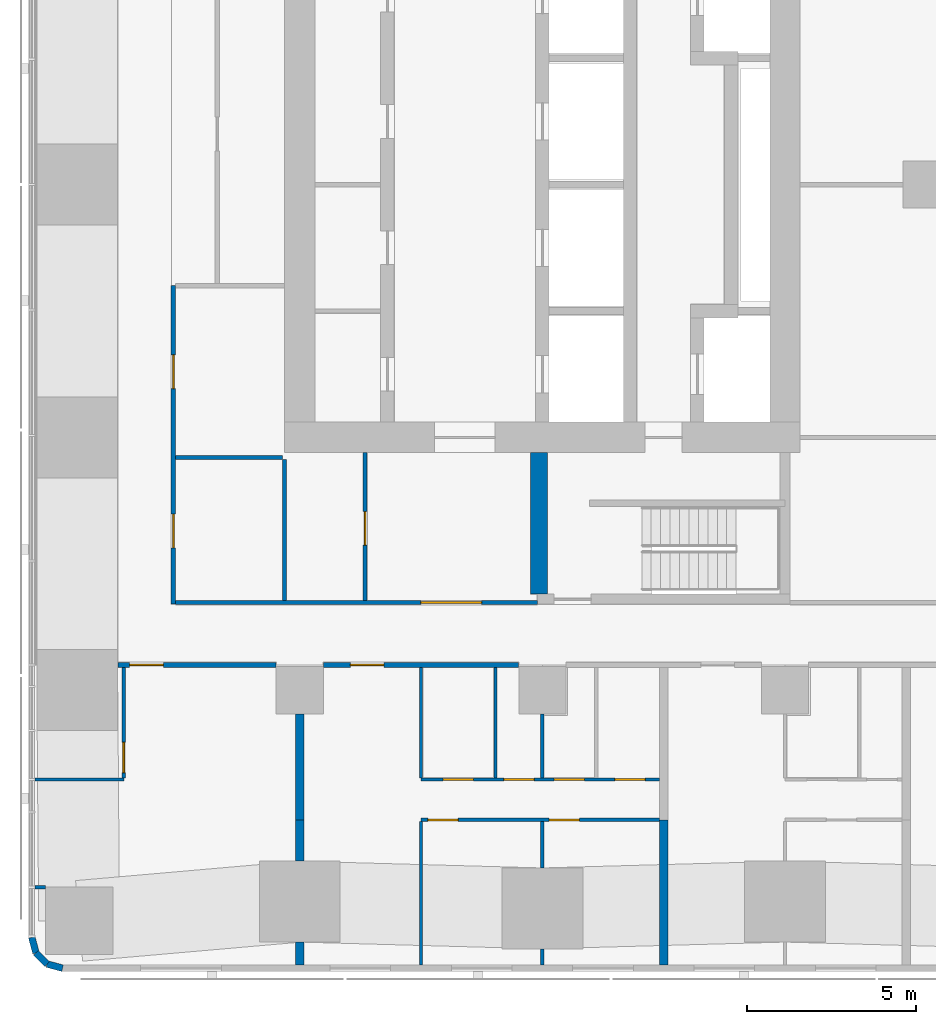
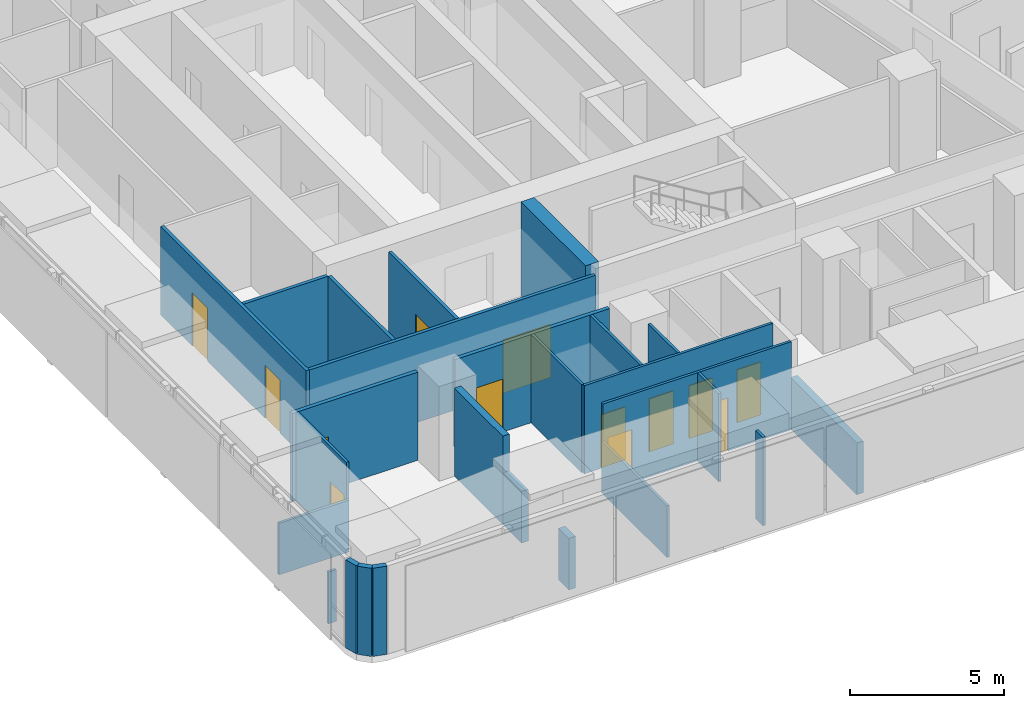
# One storey, part 10 of 19: 26 walls, 13 doors, 13 openings.
"""IFC4 building model written with IfcOpenShell, lengths in metres."""

import ifcopenshell
import ifcopenshell.guid

model = None  # the IFC model being written
_history = None  # IfcOwnerHistory: only IFC2X3 demands one
_inside = {}  # id of a spatial element -> (the spatial element, [elements in it])
_under = {}  # id of a project, library or spatial element -> (it, [spatial elements below it])
_declared = {}  # id of a project -> (the project, [libraries it declares])
_typed = {}  # id of a type object -> (the type object, [elements of that type])
_made_of = {}  # id of a material, layer set ... -> (it, [elements and type objects made of it])


def new_model(schema):
    """Start an empty IFC model of exactly this schema.

    Asked for "IFC4X3", IfcOpenShell would pick the latest addendum, in which some entities
    have other attributes; the version numbers below select the first issue.
    IFC2X3 requires an IfcOwnerHistory on every rooted entity: one is made here for all.
    """
    global model, _history
    if schema == "IFC4X3":
        model = ifcopenshell.file(schema_version=(4, 3, 0, 0))
    else:
        model = ifcopenshell.file(schema=schema)
    _inside.clear()
    _under.clear()
    _declared.clear()
    _typed.clear()
    _made_of.clear()
    _history = None
    if model.schema == "IFC2X3":
        org = make("IfcOrganization", Name="unknown")
        user = make(
            "IfcPersonAndOrganization",
            ThePerson=make("IfcPerson", FamilyName="unknown"),
            TheOrganization=org,
        )
        app = make(
            "IfcApplication",
            ApplicationDeveloper=org,
            Version="unknown",
            ApplicationFullName="unknown",
            ApplicationIdentifier="unknown",
        )
        _history = make(
            "IfcOwnerHistory",
            OwningUser=user,
            OwningApplication=app,
            ChangeAction="ADDED",
            CreationDate=0,
        )
    return model


def make(cls, **values):
    """One entity of the class cls with the attributes given. An attribute that is None is left unset."""
    return model.create_entity(
        cls, **{name: value for name, value in values.items() if value is not None}
    )


def rooted(cls, **values):
    """An entity with a GlobalId (a new one), such as an element, a storey or a relation."""
    return make(cls, GlobalId=ifcopenshell.guid.new(), OwnerHistory=_history, **values)


def si_unit(unit_type, name, prefix=None):
    """IfcSIUnit, for example si_unit("LENGTHUNIT", "METRE", prefix="MILLI")."""
    return make("IfcSIUnit", UnitType=unit_type, Prefix=prefix, Name=name)


def assignment(units):
    """IfcUnitAssignment: the units of a project."""
    return None if units is None else make("IfcUnitAssignment", Units=units)


def point(xyz):
    """IfcCartesianPoint."""
    return None if xyz is None else make("IfcCartesianPoint", Coordinates=xyz)


def direction(xyz):
    """IfcDirection."""
    return None if xyz is None else make("IfcDirection", DirectionRatios=xyz)


def frame(location, z_axis=None, x_axis=None):
    """IfcAxis2Placement3D, a coordinate frame: its origin and axes. An axis left out is left unset."""
    return make(
        "IfcAxis2Placement3D",
        Location=point(location),
        Axis=direction(z_axis),
        RefDirection=direction(x_axis),
    )


def frame_2d(location, x_axis=None):
    """IfcAxis2Placement2D, a coordinate frame in the plane: its origin and x axis."""
    return make(
        "IfcAxis2Placement2D", Location=point(location), RefDirection=direction(x_axis)
    )


def origin():
    """The frame at (0, 0, 0) with its axes left unset."""
    return frame((0.0, 0.0, 0.0))


def place(relative_to, where):
    """IfcLocalPlacement: puts the frame where relative to a parent placement (None: the world)."""
    return make(
        "IfcLocalPlacement", PlacementRelTo=relative_to, RelativePlacement=where
    )


def context(
    kind, dimensions, precision=None, world=None, true_north=None, identifier=None
):
    """IfcGeometricRepresentationContext, for example the 3D "Model" context."""
    return make(
        "IfcGeometricRepresentationContext",
        ContextIdentifier=identifier,
        ContextType=kind,
        CoordinateSpaceDimension=dimensions,
        Precision=precision,
        WorldCoordinateSystem=world,
        TrueNorth=true_north,
    )


def subcontext(parent, identifier, kind, view, scale=None):
    """IfcGeometricRepresentationSubContext, for example "Body" below "Model"."""
    return make(
        "IfcGeometricRepresentationSubContext",
        ContextIdentifier=identifier,
        ContextType=kind,
        ParentContext=parent,
        TargetScale=scale,
        TargetView=view,
    )


def project(units=None, contexts=None):
    """IfcProject with its units and contexts."""
    return rooted(
        "IfcProject",
        Name="project",
        RepresentationContexts=contexts,
        UnitsInContext=assignment(units),
    )


def spatial(cls, under=None, at=None, **own):
    """A site, building, storey or space (cls), placed at a placement, below another one or the project."""
    s = rooted(cls, ObjectPlacement=at, **own)
    if under is not None:
        _under.setdefault(under.id(), (under, []))[1].append(s)
    return s


def profile(cls, at=None, kind="AREA", **sizes):
    """A parametric profile (cls). Its sizes go by their IFC names, for example OverallWidth=200.0."""
    return make(cls, ProfileType=kind, Position=at, **sizes)


def rectangle(**sizes):
    """IfcRectangleProfileDef."""
    return profile("IfcRectangleProfileDef", **sizes)


def extrude(swept, where, along, depth):
    """IfcExtrudedAreaSolid: the profile swept, set in the frame where, extruded along a direction by depth."""
    return make(
        "IfcExtrudedAreaSolid",
        SweptArea=swept,
        Position=where,
        ExtrudedDirection=direction(along),
        Depth=depth,
    )


def shape(context_of_items, identifier, shape_type, items):
    """IfcShapeRepresentation: the items that make up one representation, for example the "Body"."""
    return make(
        "IfcShapeRepresentation",
        ContextOfItems=context_of_items,
        RepresentationIdentifier=identifier,
        RepresentationType=shape_type,
        Items=items,
    )


def material(Name=None, Category=None):
    """IfcMaterial."""
    return make("IfcMaterial", Name=Name, Category=Category)


def layer(
    of_material, thickness, ventilated=None, Name=None, Category=None, Priority=None
):
    """IfcMaterialLayer: one layer of a wall or slab, of a material (None: an air gap)."""
    return make(
        "IfcMaterialLayer",
        Material=of_material,
        LayerThickness=thickness,
        IsVentilated=ventilated,
        Name=Name,
        Category=Category,
        Priority=Priority,
    )


def layer_set(layers, Name=None):
    """IfcMaterialLayerSet."""
    return make("IfcMaterialLayerSet", MaterialLayers=layers, LayerSetName=Name)


def made_of(thing, what):
    """Note that an element or type object is made of a material, layer set ...; save() writes the relation."""
    if what is not None:
        _made_of.setdefault(what.id(), (what, []))[1].append(thing)
    return thing


def type_object(cls, material=None, **own):
    """A type object (cls), such as IfcWallType, which elements share."""
    return made_of(rooted(cls, **own), material)


def element(
    cls,
    number,
    at=None,
    inside=None,
    cuts=None,
    type_object=None,
    material=None,
    context=None,
    identifier="Body",
    shape_type=None,
    held_by="IfcProductDefinitionShape",
    body=None,
    shapes=None,
    **own,
):
    """One element of the class cls, such as IfcWall. Its Tag is "e" and its number.

    at: its placement. inside: the storey or other place that contains it. cuts: it is an
    opening in that element (IfcRelVoidsElement). A single representation is given by context,
    identifier, shape_type and body (its items); several are given by shapes. held_by: the class
    of the entity that holds the representations. save() writes the other relations.
    """
    e = rooted(cls, Tag="e%d" % number, ObjectPlacement=at, **own)
    if body is not None:
        shapes = [shape(context, identifier, shape_type, body)]
    if shapes is not None:
        e.Representation = make(held_by, Representations=shapes)
    if inside is not None:
        _inside.setdefault(inside.id(), (inside, []))[1].append(e)
    if cuts is not None:
        rooted(
            "IfcRelVoidsElement", RelatingBuildingElement=cuts, RelatedOpeningElement=e
        )
    if type_object is not None:
        _typed.setdefault(type_object.id(), (type_object, []))[1].append(e)
    return made_of(e, material)


def fill(opening, filler):
    """IfcRelFillsElement: the door or window that sits in an opening."""
    return rooted(
        "IfcRelFillsElement",
        RelatingOpeningElement=opening,
        RelatedBuildingElement=filler,
    )


def aggregate(whole, parts):
    """IfcRelAggregates: a whole, such as a stair, and the parts it consists of."""
    return rooted("IfcRelAggregates", RelatingObject=whole, RelatedObjects=parts)


def save(model, path):
    """Write the relations noted so far, then the file.

    IfcRelAggregates (storeys below a building ...), IfcRelContainedInSpatialStructure (elements
    in a storey), IfcRelDefinesByType, IfcRelAssociatesMaterial and IfcRelDeclares: one each for
    every whole, place, type object, material and project.
    """
    for whole, parts in _under.values():
        aggregate(whole, parts)
    for where, things in _inside.values():
        rooted(
            "IfcRelContainedInSpatialStructure",
            RelatedElements=things,
            RelatingStructure=where,
        )
    for kind, things in _typed.values():
        rooted("IfcRelDefinesByType", RelatedObjects=things, RelatingType=kind)
    for what, things in _made_of.values():
        rooted("IfcRelAssociatesMaterial", RelatedObjects=things, RelatingMaterial=what)
    for by, libraries in _declared.values():
        rooted("IfcRelDeclares", RelatingContext=by, RelatedDefinitions=libraries)
    model.write(path)


model = new_model("IFC4")

# Units and contexts
model_context = context("Model", 3, precision=1e-05, world=origin(), true_north=direction((0.0, 1.0)))
body_context = subcontext(model_context, "Body", "Model", "MODEL_VIEW")
ifc_project = project(units=[si_unit("LENGTHUNIT", "METRE"), si_unit("AREAUNIT", "SQUARE_METRE"), si_unit("VOLUMEUNIT", "CUBIC_METRE"), si_unit("PLANEANGLEUNIT", "RADIAN"), si_unit("MASSUNIT", "GRAM", prefix="KILO")], contexts=[model_context])

# Site, building, storey
site_placement = place(None, origin())
site = spatial("IfcSite", under=ifc_project, at=site_placement, CompositionType="ELEMENT")
building_placement = place(site_placement, origin())
building = spatial("IfcBuilding", under=site, at=building_placement, Name="Sheger Commons Tower", CompositionType="ELEMENT")
storey_placement = place(building_placement, frame((0.0, 0.0, 216.199951171875)))
storey = spatial("IfcBuildingStorey", under=building, at=storey_placement, Name="L55", CompositionType="ELEMENT", Elevation=216.199951171875)

# Wall, opening, door
ifc_material_1 = material(Name="Hollow concrete block masonry, skimmed both sides", Category="masonry")
ifc_layer_1 = layer(ifc_material_1, 0.14990234375)
ifc_layer_set_1 = layer_set([ifc_layer_1], Name="CORRIDOR WALL 150")
wall_type_1 = type_object("IfcWallType", Name="CORRIDOR WALL 150", PredefinedType="SOLIDWALL", material=ifc_layer_set_1)
wall_1_placement = place(storey_placement, frame((20.89892578125, 8.25, 0.0), z_axis=(0.0, 0.0, 1.0), x_axis=(-1.0, 0.0, 0.0)))
wall_1 = element("IfcWall", 1, at=wall_1_placement, inside=storey, type_object=wall_type_1, Name="Corridor wall L55", PredefinedType="SOLIDWALL", context=body_context, shape_type="SweptSolid", body=[
    extrude(rectangle(XDim=5.7978515625, YDim=0.14990234375, at=frame_2d((2.89892578125, 0.0))), origin(), (0.0, 0.0, 1.0), 3.5),
])
opening_1_placement = place(wall_1_placement, frame((3.9990234375, 0.0, 0.0)))
opening_1 = element("IfcOpeningElement", 2, at=opening_1_placement, cuts=wall_1, Name="Opening D1", PredefinedType="OPENING", context=body_context, shape_type="SweptSolid", body=[
    extrude(rectangle(XDim=1.0, YDim=2.10009765625, at=frame_2d((0.5, 1.050048828125))), frame((0.0, 0.0849609375, 0.0), z_axis=(0.0, -1.0, 0.0), x_axis=(1.0, 0.0, 0.0)), (0.0, 0.0, 1.0), 0.169921875),
])
ifc_material_2 = material(Name="Steel door set, fire rated", Category="steel")
door_type_1 = type_object("IfcDoorType", Name="FLAT ENTRANCE DOOR 1000x2100", OperationType="NOTDEFINED", PredefinedType="DOOR", material=ifc_material_2)
door_1_placement = place(opening_1_placement, origin())
door_1 = element("IfcDoor", 3, at=door_1_placement, inside=storey, type_object=door_type_1, Name="Flat entrance door", OperationType="SINGLE_SWING_RIGHT", OverallHeight=2.10009765625, OverallWidth=1.0, PredefinedType="DOOR", context=body_context, shape_type="SweptSolid", body=[
    extrude(rectangle(XDim=1.0, YDim=2.10009765625, at=frame_2d((0.5, 1.050048828125))), frame((0.0, 0.02490234375, 0.0), z_axis=(0.0, -1.0, 0.0), x_axis=(1.0, 0.0, 0.0)), (0.0, 0.0, 1.0), 0.050048828125),
])
fill(opening_1, door_1)

wall_2_placement = place(storey_placement, frame((13.698974609375, 8.25, 0.0), z_axis=(0.0, 0.0, 1.0), x_axis=(-1.0, 0.0, 0.0)))
wall_2 = element("IfcWall", 4, at=wall_2_placement, inside=storey, type_object=wall_type_1, Name="Corridor wall L55", PredefinedType="SOLIDWALL", context=body_context, shape_type="SweptSolid", body=[
    extrude(rectangle(XDim=4.697998046875, YDim=0.14990234375, at=frame_2d((2.34912109375, 0.0))), origin(), (0.0, 0.0, 1.0), 3.5),
])
opening_2_placement = place(wall_2_placement, frame((3.344970703125, 0.0, 0.0)))
opening_2 = element("IfcOpeningElement", 5, at=opening_2_placement, cuts=wall_2, Name="Opening D1", PredefinedType="OPENING", context=body_context, shape_type="SweptSolid", body=[
    extrude(rectangle(XDim=1.0, YDim=2.10009765625, at=frame_2d((0.5, 1.050048828125))), frame((0.0, 0.0849609375, 0.0), z_axis=(0.0, -1.0, 0.0), x_axis=(1.0, 0.0, 0.0)), (0.0, 0.0, 1.0), 0.169921875),
])
door_2_placement = place(opening_2_placement, origin())
door_2 = element("IfcDoor", 6, at=door_2_placement, inside=storey, type_object=door_type_1, Name="Flat entrance door", OperationType="SINGLE_SWING_LEFT", OverallHeight=2.10009765625, OverallWidth=1.0, PredefinedType="DOOR", context=body_context, shape_type="SweptSolid", body=[
    extrude(rectangle(XDim=1.0, YDim=2.10009765625, at=frame_2d((0.5, 1.050048828125))), frame((0.0, 0.02490234375, 0.0), z_axis=(0.0, -1.0, 0.0), x_axis=(1.0, 0.0, 0.0)), (0.0, 0.0, 1.0), 0.050048828125),
])
fill(opening_2, door_2)

# Walls
ifc_material_3 = material(Name="Dense concrete block masonry, plastered both sides (separating wall between flats)", Category="masonry")
ifc_layer_2 = layer(ifc_material_3, 0.25)
ifc_layer_set_2 = layer_set([ifc_layer_2], Name="DEMISING WALL 250")
wall_type_2 = type_object("IfcWallType", Name="DEMISING WALL 250", PredefinedType="SOLIDWALL", material=ifc_layer_set_2)
wall_3_placement = place(storey_placement, frame((14.39990234375, -0.64990234375, 0.0), z_axis=(0.0, 0.0, 1.0), x_axis=(0.0, 1.0, 0.0)))
element("IfcWall", 7, at=wall_3_placement, inside=storey, type_object=wall_type_2, Name="Demising wall L55", PredefinedType="SOLIDWALL", context=body_context, shape_type="SweptSolid", body=[
    extrude(rectangle(XDim=0.673828125, YDim=0.25, at=frame_2d((0.3369140625, 0.0))), origin(), (0.0, 0.0, 1.0), 2.050048828125),
])
wall_4_placement = place(storey_placement, frame((14.39990234375, 2.426025390625, 0.0), z_axis=(0.0, 0.0, 1.0), x_axis=(0.0, 1.0, 0.0)))
element("IfcWall", 8, at=wall_4_placement, inside=storey, type_object=wall_type_2, Name="Demising wall L55", PredefinedType="SOLIDWALL", context=body_context, shape_type="SweptSolid", body=[
    extrude(rectangle(XDim=1.223876953125, YDim=0.25, at=frame_2d((0.61181640625, 0.0))), origin(), (0.0, 0.0, 1.0), 2.050048828125),
])
wall_5_placement = place(storey_placement, frame((14.39990234375, 3.64990234375, 0.0), z_axis=(0.0, 0.0, 1.0), x_axis=(0.0, 1.0, 0.0)))
element("IfcWall", 9, at=wall_5_placement, inside=storey, type_object=wall_type_2, Name="Demising wall L55", PredefinedType="SOLIDWALL", context=body_context, shape_type="SweptSolid", body=[
    extrude(rectangle(XDim=3.149169921875, YDim=0.25, at=frame_2d((1.57470703125, 0.0))), origin(), (0.0, 0.0, 1.0), 3.5),
])
wall_6_placement = place(storey_placement, frame((25.199951171875, -0.64990234375, 0.0), z_axis=(0.0, 0.0, 1.0), x_axis=(0.0, 1.0, 0.0)))
element("IfcWall", 10, at=wall_6_placement, inside=storey, type_object=wall_type_2, Name="Demising wall L55", PredefinedType="SOLIDWALL", context=body_context, shape_type="SweptSolid", body=[
    extrude(rectangle(XDim=4.2998046875, YDim=0.25, at=frame_2d((2.14990234375, 0.0))), origin(), (0.0, 0.0, 1.0), 2.050048828125),
])
ifc_material_4 = material(Name="Rendered concrete block masonry, dark grey", Category="masonry")
ifc_layer_3 = layer(ifc_material_4, 0.199951171875)
ifc_layer_set_3 = layer_set([ifc_layer_3], Name="FACADE WALL 200")
wall_type_3 = type_object("IfcWallType", Name="FACADE WALL 200", PredefinedType="SOLIDWALL", material=ifc_layer_set_3)
wall_7_placement = place(storey_placement, frame((6.449951171875, 0.1630859375, 0.0), z_axis=(0.0, 0.0, 1.0), x_axis=(0.259698463175, -0.965689757751, 0.0)))
element("IfcWall", 11, at=wall_7_placement, inside=storey, type_object=wall_type_3, Name="Facade wall L55", PredefinedType="SOLIDWALL", context=body_context, shape_type="SweptSolid", body=[
    extrude(rectangle(XDim=0.4775390625, YDim=0.199951171875, at=frame_2d((0.23876953125, 0.0))), origin(), (0.0, 0.0, 1.0), 3.5),
])
wall_8_placement = place(storey_placement, frame((6.573974609375, -0.298095703125, 0.0), z_axis=(0.0, 0.0, 1.0), x_axis=(0.707369890659, -0.706843573776, 0.0)))
element("IfcWall", 12, at=wall_8_placement, inside=storey, type_object=wall_type_3, Name="Facade wall L55", PredefinedType="SOLIDWALL", context=body_context, shape_type="SweptSolid", body=[
    extrude(rectangle(XDim=0.4638671875, YDim=0.199951171875, at=frame_2d((0.23193359375, 0.0))), origin(), (0.0, 0.0, 1.0), 3.5),
])
wall_9_placement = place(storey_placement, frame((6.902099609375, -0.6259765625, 0.0), z_axis=(0.0, 0.0, 1.0), x_axis=(0.965655254015, -0.259826731483, 0.0)))
element("IfcWall", 13, at=wall_9_placement, inside=storey, type_object=wall_type_3, Name="Facade wall L55", PredefinedType="SOLIDWALL", context=body_context, shape_type="SweptSolid", body=[
    extrude(rectangle(XDim=0.477294921875, YDim=0.199951171875, at=frame_2d((0.23876953125, 0.0))), origin(), (0.0, 0.0, 1.0), 3.5),
])
ifc_material_5 = material(Name="Gypsum board on steel studs", Category="steel")
ifc_layer_4 = layer(ifc_material_5, 0.10009765625)
ifc_layer_set_4 = layer_set([ifc_layer_4], Name="PARTITION 100")
wall_type_4 = type_object("IfcWallType", Name="PARTITION 100", PredefinedType="PARTITIONING", material=ifc_layer_set_4)
wall_10_placement = place(storey_placement, frame((6.550048828125, 1.654052734375, 0.0), z_axis=(0.0, 0.0, 1.0), x_axis=(1.0, 0.0, 0.0)))
element("IfcWall", 14, at=wall_10_placement, inside=storey, type_object=wall_type_4, Name="Partition L55", PredefinedType="PARTITIONING", context=body_context, shape_type="SweptSolid", body=[
    extrude(rectangle(XDim=0.303955078125, YDim=0.10009765625, at=frame_2d((0.15185546875, 0.0))), origin(), (0.0, 0.0, 1.0), 2.050048828125),
])
wall_11_placement = place(storey_placement, frame((9.178955078125, 4.85009765625, 0.0), z_axis=(0.0, 0.0, 1.0), x_axis=(-1.0, 0.0, 0.0)))
element("IfcWall", 15, at=wall_11_placement, inside=storey, type_object=wall_type_4, Name="Partition L55", PredefinedType="PARTITIONING", context=body_context, shape_type="SweptSolid", body=[
    extrude(rectangle(XDim=2.62890625, YDim=0.10009765625, at=frame_2d((1.314453125, 0.0))), origin(), (0.0, 0.0, 1.0), 2.050048828125),
])

# Wall, opening, door
wall_12_placement = place(storey_placement, frame((9.178955078125, 4.89990234375, 0.0), z_axis=(0.0, 0.0, 1.0), x_axis=(0.0, 1.0, 0.0)))
wall_12 = element("IfcWall", 16, at=wall_12_placement, inside=storey, type_object=wall_type_4, Name="Partition L55", PredefinedType="PARTITIONING", context=body_context, shape_type="SweptSolid", body=[
    extrude(rectangle(XDim=3.275146484375, YDim=0.10009765625, at=frame_2d((1.6376953125, 0.0))), origin(), (0.0, 0.0, 1.0), 3.5),
])
opening_3_placement = place(wall_12_placement, frame((0.14990234375, 0.0, 0.0)))
opening_3 = element("IfcOpeningElement", 17, at=opening_3_placement, cuts=wall_12, Name="Opening D2", PredefinedType="OPENING", context=body_context, shape_type="SweptSolid", body=[
    extrude(rectangle(XDim=0.89990234375, YDim=2.10009765625, at=frame_2d((0.449951171875, 1.050048828125))), frame((0.0, 0.06005859375, 0.0), z_axis=(0.0, -1.0, 0.0), x_axis=(1.0, 0.0, 0.0)), (0.0, 0.0, 1.0), 0.1201171875),
])
ifc_material_6 = material(Name="Timber door set", Category="wood")
door_type_2 = type_object("IfcDoorType", Name="INTERNAL DOOR 900x2100", OperationType="NOTDEFINED", PredefinedType="DOOR", material=ifc_material_6)
door_3_placement = place(opening_3_placement, origin())
door_3 = element("IfcDoor", 18, at=door_3_placement, inside=storey, type_object=door_type_2, Name="Shower room door", OperationType="SINGLE_SWING_LEFT", OverallHeight=2.10009765625, OverallWidth=0.89990234375, PredefinedType="DOOR", context=body_context, shape_type="SweptSolid", body=[
    extrude(rectangle(XDim=0.89990234375, YDim=2.10009765625, at=frame_2d((0.449951171875, 1.050048828125))), frame((0.0, 0.02490234375, 0.0), z_axis=(0.0, -1.0, 0.0), x_axis=(1.0, 0.0, 0.0)), (0.0, 0.0, 1.0), 0.050048828125),
])
fill(opening_3, door_3)

# Wall, openings, doors
wall_13_placement = place(storey_placement, frame((25.074951171875, 3.64990234375, 0.0), z_axis=(0.0, 0.0, 1.0), x_axis=(-1.0, 0.0, 0.0)))
wall_13 = element("IfcWall", 19, at=wall_13_placement, inside=storey, type_object=wall_type_4, Name="Partition L55", PredefinedType="PARTITIONING", context=body_context, shape_type="SweptSolid", body=[
    extrude(rectangle(XDim=7.074951171875, YDim=0.10009765625, at=frame_2d((3.53759765625, 0.0))), origin(), (0.0, 0.0, 1.0), 3.5),
])
opening_4_placement = place(wall_13_placement, frame((5.97509765625, 0.0, 0.0)))
opening_4 = element("IfcOpeningElement", 20, at=opening_4_placement, cuts=wall_13, Name="Opening D2", PredefinedType="OPENING", context=body_context, shape_type="SweptSolid", body=[
    extrude(rectangle(XDim=0.89990234375, YDim=2.10009765625, at=frame_2d((0.449951171875, 1.050048828125))), frame((0.0, 0.06005859375, 0.0), z_axis=(0.0, -1.0, 0.0), x_axis=(1.0, 0.0, 0.0)), (0.0, 0.0, 1.0), 0.1201171875),
])
opening_5_placement = place(wall_13_placement, frame((2.375, 0.0, 0.0)))
opening_5 = element("IfcOpeningElement", 21, at=opening_5_placement, cuts=wall_13, Name="Opening D2", PredefinedType="OPENING", context=body_context, shape_type="SweptSolid", body=[
    extrude(rectangle(XDim=0.89990234375, YDim=2.10009765625, at=frame_2d((0.449951171875, 1.050048828125))), frame((0.0, 0.06005859375, 0.0), z_axis=(0.0, -1.0, 0.0), x_axis=(1.0, 0.0, 0.0)), (0.0, 0.0, 1.0), 0.1201171875),
])
door_4_placement = place(opening_4_placement, origin())
door_4 = element("IfcDoor", 22, at=door_4_placement, inside=storey, type_object=door_type_2, Name="Main bedroom door", OperationType="SINGLE_SWING_RIGHT", OverallHeight=2.10009765625, OverallWidth=0.89990234375, PredefinedType="DOOR", context=body_context, shape_type="SweptSolid", body=[
    extrude(rectangle(XDim=0.89990234375, YDim=2.10009765625, at=frame_2d((0.449951171875, 1.050048828125))), frame((0.0, 0.02490234375, 0.0), z_axis=(0.0, -1.0, 0.0), x_axis=(1.0, 0.0, 0.0)), (0.0, 0.0, 1.0), 0.050048828125),
])
fill(opening_4, door_4)
door_5_placement = place(opening_5_placement, origin())
door_5 = element("IfcDoor", 23, at=door_5_placement, inside=storey, type_object=door_type_2, Name="Bedroom 2 door", OperationType="SINGLE_SWING_RIGHT", OverallHeight=2.10009765625, OverallWidth=0.89990234375, PredefinedType="DOOR", context=body_context, shape_type="SweptSolid", body=[
    extrude(rectangle(XDim=0.89990234375, YDim=2.10009765625, at=frame_2d((0.449951171875, 1.050048828125))), frame((0.0, 0.02490234375, 0.0), z_axis=(0.0, -1.0, 0.0), x_axis=(1.0, 0.0, 0.0)), (0.0, 0.0, 1.0), 0.050048828125),
])
fill(opening_5, door_5)

wall_14_placement = place(storey_placement, frame((25.074951171875, 4.85009765625, 0.0), z_axis=(0.0, 0.0, 1.0), x_axis=(-1.0, 0.0, 0.0)))
wall_14 = element("IfcWall", 24, at=wall_14_placement, inside=storey, type_object=wall_type_4, Name="Partition L55", PredefinedType="PARTITIONING", context=body_context, shape_type="SweptSolid", body=[
    extrude(rectangle(XDim=7.074951171875, YDim=0.10009765625, at=frame_2d((3.53759765625, 0.0))), origin(), (0.0, 0.0, 1.0), 3.5),
])
opening_6_placement = place(wall_14_placement, frame((5.52001953125, 0.0, 0.0)))
opening_6 = element("IfcOpeningElement", 25, at=opening_6_placement, cuts=wall_14, Name="Opening D2", PredefinedType="OPENING", context=body_context, shape_type="SweptSolid", body=[
    extrude(rectangle(XDim=0.89990234375, YDim=2.10009765625, at=frame_2d((0.449951171875, 1.050048828125))), frame((0.0, 0.06005859375, 0.0), z_axis=(0.0, -1.0, 0.0), x_axis=(1.0, 0.0, 0.0)), (0.0, 0.0, 1.0), 0.1201171875),
])
opening_7_placement = place(wall_14_placement, frame((2.22509765625, 0.0, 0.0)))
opening_7 = element("IfcOpeningElement", 26, at=opening_7_placement, cuts=wall_14, Name="Opening D2", PredefinedType="OPENING", context=body_context, shape_type="SweptSolid", body=[
    extrude(rectangle(XDim=0.89990234375, YDim=2.10009765625, at=frame_2d((0.449951171875, 1.050048828125))), frame((0.0, 0.06005859375, 0.0), z_axis=(0.0, -1.0, 0.0), x_axis=(1.0, 0.0, 0.0)), (0.0, 0.0, 1.0), 0.1201171875),
])
opening_8_placement = place(wall_14_placement, frame((3.719970703125, 0.0, 0.0)))
opening_8 = element("IfcOpeningElement", 27, at=opening_8_placement, cuts=wall_14, Name="Opening D2", PredefinedType="OPENING", context=body_context, shape_type="SweptSolid", body=[
    extrude(rectangle(XDim=0.89990234375, YDim=2.10009765625, at=frame_2d((0.449951171875, 1.050048828125))), frame((0.0, 0.06005859375, 0.0), z_axis=(0.0, -1.0, 0.0), x_axis=(1.0, 0.0, 0.0)), (0.0, 0.0, 1.0), 0.1201171875),
])
opening_9_placement = place(wall_14_placement, frame((0.425048828125, 0.0, 0.0)))
opening_9 = element("IfcOpeningElement", 28, at=opening_9_placement, cuts=wall_14, Name="Opening D2", PredefinedType="OPENING", context=body_context, shape_type="SweptSolid", body=[
    extrude(rectangle(XDim=0.89990234375, YDim=2.10009765625, at=frame_2d((0.449951171875, 1.050048828125))), frame((0.0, 0.06005859375, 0.0), z_axis=(0.0, -1.0, 0.0), x_axis=(1.0, 0.0, 0.0)), (0.0, 0.0, 1.0), 0.1201171875),
])
door_6_placement = place(opening_6_placement, origin())
door_6 = element("IfcDoor", 29, at=door_6_placement, inside=storey, type_object=door_type_2, Name="Bathroom door", OperationType="SINGLE_SWING_LEFT", OverallHeight=2.10009765625, OverallWidth=0.89990234375, PredefinedType="DOOR", context=body_context, shape_type="SweptSolid", body=[
    extrude(rectangle(XDim=0.89990234375, YDim=2.10009765625, at=frame_2d((0.449951171875, 1.050048828125))), frame((0.0, 0.02490234375, 0.0), z_axis=(0.0, -1.0, 0.0), x_axis=(1.0, 0.0, 0.0)), (0.0, 0.0, 1.0), 0.050048828125),
])
fill(opening_6, door_6)
door_7_placement = place(opening_7_placement, origin())
door_7 = element("IfcDoor", 30, at=door_7_placement, inside=storey, type_object=door_type_2, Name="Shower room door", OperationType="SINGLE_SWING_RIGHT", OverallHeight=2.10009765625, OverallWidth=0.89990234375, PredefinedType="DOOR", context=body_context, shape_type="SweptSolid", body=[
    extrude(rectangle(XDim=0.89990234375, YDim=2.10009765625, at=frame_2d((0.449951171875, 1.050048828125))), frame((0.0, 0.02490234375, 0.0), z_axis=(0.0, -1.0, 0.0), x_axis=(1.0, 0.0, 0.0)), (0.0, 0.0, 1.0), 0.050048828125),
])
fill(opening_7, door_7)
door_8_placement = place(opening_8_placement, origin())
door_8 = element("IfcDoor", 31, at=door_8_placement, inside=storey, type_object=door_type_2, Name="Store door", OperationType="SINGLE_SWING_RIGHT", OverallHeight=2.10009765625, OverallWidth=0.89990234375, PredefinedType="DOOR", context=body_context, shape_type="SweptSolid", body=[
    extrude(rectangle(XDim=0.89990234375, YDim=2.10009765625, at=frame_2d((0.449951171875, 1.050048828125))), frame((0.0, 0.02490234375, 0.0), z_axis=(0.0, -1.0, 0.0), x_axis=(1.0, 0.0, 0.0)), (0.0, 0.0, 1.0), 0.050048828125),
])
fill(opening_8, door_8)
door_9_placement = place(opening_9_placement, origin())
door_9 = element("IfcDoor", 32, at=door_9_placement, inside=storey, type_object=door_type_2, Name="Store door", OperationType="SINGLE_SWING_RIGHT", OverallHeight=2.10009765625, OverallWidth=0.89990234375, PredefinedType="DOOR", context=body_context, shape_type="SweptSolid", body=[
    extrude(rectangle(XDim=0.89990234375, YDim=2.10009765625, at=frame_2d((0.449951171875, 1.050048828125))), frame((0.0, 0.02490234375, 0.0), z_axis=(0.0, -1.0, 0.0), x_axis=(1.0, 0.0, 0.0)), (0.0, 0.0, 1.0), 0.050048828125),
])
fill(opening_9, door_9)

# Walls
wall_15_placement = place(storey_placement, frame((18.0, -0.64990234375, 0.0), z_axis=(0.0, 0.0, 1.0), x_axis=(0.0, 1.0, 0.0)))
element("IfcWall", 33, at=wall_15_placement, inside=storey, type_object=wall_type_4, Name="Partition L55", PredefinedType="PARTITIONING", context=body_context, shape_type="SweptSolid", body=[
    extrude(rectangle(XDim=4.25, YDim=0.10009765625, at=frame_2d((2.125, 0.0))), origin(), (0.0, 0.0, 1.0), 2.050048828125),
])
wall_16_placement = place(storey_placement, frame((21.60009765625, -0.64990234375, 0.0), z_axis=(0.0, 0.0, 1.0), x_axis=(0.0, 1.0, 0.0)))
element("IfcWall", 34, at=wall_16_placement, inside=storey, type_object=wall_type_4, Name="Partition L55", PredefinedType="PARTITIONING", context=body_context, shape_type="SweptSolid", body=[
    extrude(rectangle(XDim=0.473876953125, YDim=0.10009765625, at=frame_2d((0.23681640625, 0.0))), origin(), (0.0, 0.0, 1.0), 3.5),
])
wall_17_placement = place(storey_placement, frame((21.60009765625, 2.22607421875, 0.0), z_axis=(0.0, 0.0, 1.0), x_axis=(0.0, 1.0, 0.0)))
element("IfcWall", 35, at=wall_17_placement, inside=storey, type_object=wall_type_4, Name="Partition L55", PredefinedType="PARTITIONING", context=body_context, shape_type="SweptSolid", body=[
    extrude(rectangle(XDim=1.3740234375, YDim=0.10009765625, at=frame_2d((0.68701171875, 0.0))), origin(), (0.0, 0.0, 1.0), 3.5),
])
wall_18_placement = place(storey_placement, frame((18.0, 4.89990234375, 0.0), z_axis=(0.0, 0.0, 1.0), x_axis=(0.0, 1.0, 0.0)))
element("IfcWall", 36, at=wall_18_placement, inside=storey, type_object=wall_type_4, Name="Partition L55", PredefinedType="PARTITIONING", context=body_context, shape_type="SweptSolid", body=[
    extrude(rectangle(XDim=3.275146484375, YDim=0.10009765625, at=frame_2d((1.6376953125, 0.0))), origin(), (0.0, 0.0, 1.0), 3.5),
])
wall_19_placement = place(storey_placement, frame((21.60009765625, 4.89990234375, 0.0), z_axis=(0.0, 0.0, 1.0), x_axis=(0.0, 1.0, 0.0)))
element("IfcWall", 37, at=wall_19_placement, inside=storey, type_object=wall_type_4, Name="Partition L55", PredefinedType="PARTITIONING", context=body_context, shape_type="SweptSolid", body=[
    extrude(rectangle(XDim=1.899169921875, YDim=0.10009765625, at=frame_2d((0.94970703125, 0.0))), origin(), (0.0, 0.0, 1.0), 3.5),
])
wall_20_placement = place(storey_placement, frame((20.2099609375, 4.89990234375, 0.0), z_axis=(0.0, 0.0, 1.0), x_axis=(0.0, 1.0, 0.0)))
element("IfcWall", 38, at=wall_20_placement, inside=storey, type_object=wall_type_4, Name="Partition L55", PredefinedType="PARTITIONING", context=body_context, shape_type="SweptSolid", body=[
    extrude(rectangle(XDim=3.275146484375, YDim=0.10009765625, at=frame_2d((1.6376953125, 0.0))), origin(), (0.0, 0.0, 1.0), 3.5),
])

# Wall, openings, doors
ifc_material_7 = material(Name="Gypsum board on steel studs, two layers each side, fire rated", Category="steel")
ifc_layer_5 = layer(ifc_material_7, 0.125)
ifc_layer_set_5 = layer_set([ifc_layer_5], Name="SERVICE WALL 125")
wall_type_5 = type_object("IfcWallType", Name="SERVICE WALL 125", PredefinedType="PARTITIONING", material=ifc_layer_set_5)
wall_21_placement = place(storey_placement, frame((10.64990234375, 10.050048828125, 0.0), z_axis=(0.0, 0.0, 1.0), x_axis=(0.0, 1.0, 0.0)))
wall_21 = element("IfcWall", 39, at=wall_21_placement, inside=storey, type_object=wall_type_5, Name="Service room wall L55", PredefinedType="PARTITIONING", context=body_context, shape_type="SweptSolid", body=[
    extrude(rectangle(XDim=9.449951171875, YDim=0.125, at=frame_2d((4.72509765625, 0.0))), origin(), (0.0, 0.0, 1.0), 3.5),
])
opening_10_placement = place(wall_21_placement, frame((1.675048828125, 0.0, 0.0)))
opening_10 = element("IfcOpeningElement", 40, at=opening_10_placement, cuts=wall_21, Name="Opening D4", PredefinedType="OPENING", context=body_context, shape_type="SweptSolid", body=[
    extrude(rectangle(XDim=1.0, YDim=2.10009765625, at=frame_2d((0.5, 1.050048828125))), frame((0.0, 0.072509765625, 0.0), z_axis=(0.0, -1.0, 0.0), x_axis=(1.0, 0.0, 0.0)), (0.0, 0.0, 1.0), 0.14501953125),
])
opening_11_placement = place(wall_21_placement, frame((6.39990234375, 0.0, 0.0)))
opening_11 = element("IfcOpeningElement", 41, at=opening_11_placement, cuts=wall_21, Name="Opening D4", PredefinedType="OPENING", context=body_context, shape_type="SweptSolid", body=[
    extrude(rectangle(XDim=1.0, YDim=2.10009765625, at=frame_2d((0.5, 1.050048828125))), frame((0.0, 0.072509765625, 0.0), z_axis=(0.0, -1.0, 0.0), x_axis=(1.0, 0.0, 0.0)), (0.0, 0.0, 1.0), 0.14501953125),
])
ifc_material_8 = material(Name="Steel door set, fire rated", Category="steel")
door_type_3 = type_object("IfcDoorType", Name="SERVICE DOOR 1000x2100", OperationType="NOTDEFINED", PredefinedType="DOOR", material=ifc_material_8)
door_10_placement = place(opening_10_placement, origin())
door_10 = element("IfcDoor", 42, at=door_10_placement, inside=storey, type_object=door_type_3, Name="Refuse chute room door", OperationType="SINGLE_SWING_RIGHT", OverallHeight=2.10009765625, OverallWidth=1.0, PredefinedType="DOOR", context=body_context, shape_type="SweptSolid", body=[
    extrude(rectangle(XDim=1.0, YDim=2.10009765625, at=frame_2d((0.5, 1.050048828125))), frame((0.0, 0.02490234375, 0.0), z_axis=(0.0, -1.0, 0.0), x_axis=(1.0, 0.0, 0.0)), (0.0, 0.0, 1.0), 0.050048828125),
])
fill(opening_10, door_10)
door_11_placement = place(opening_11_placement, origin())
door_11 = element("IfcDoor", 43, at=door_11_placement, inside=storey, type_object=door_type_3, Name="Caretaker's store door", OperationType="SINGLE_SWING_LEFT", OverallHeight=2.10009765625, OverallWidth=1.0, PredefinedType="DOOR", context=body_context, shape_type="SweptSolid", body=[
    extrude(rectangle(XDim=1.0, YDim=2.10009765625, at=frame_2d((0.5, 1.050048828125))), frame((0.0, 0.02490234375, 0.0), z_axis=(0.0, -1.0, 0.0), x_axis=(1.0, 0.0, 0.0)), (0.0, 0.0, 1.0), 0.050048828125),
])
fill(opening_11, door_11)

# Walls
wall_22_placement = place(storey_placement, frame((10.712890625, 14.39990234375, 0.0), z_axis=(0.0, 0.0, 1.0), x_axis=(1.0, 0.0, 0.0)))
element("IfcWall", 44, at=wall_22_placement, inside=storey, type_object=wall_type_5, Name="Service room wall L55", PredefinedType="PARTITIONING", context=body_context, shape_type="SweptSolid", body=[
    extrude(rectangle(XDim=3.175048828125, YDim=0.125, at=frame_2d((1.58740234375, 0.0))), origin(), (0.0, 0.0, 1.0), 3.5),
])
wall_23_placement = place(storey_placement, frame((13.949951171875, 10.1630859375, 0.0), z_axis=(0.0, 0.0, 1.0), x_axis=(0.0, 1.0, 0.0)))
element("IfcWall", 45, at=wall_23_placement, inside=storey, type_object=wall_type_5, Name="Service room wall L55", PredefinedType="PARTITIONING", context=body_context, shape_type="SweptSolid", body=[
    extrude(rectangle(XDim=4.1748046875, YDim=0.125, at=frame_2d((2.08740234375, 0.0))), origin(), (0.0, 0.0, 1.0), 3.5),
])

# Wall, opening, door
wall_24_placement = place(storey_placement, frame((10.712890625, 10.10009765625, 0.0), z_axis=(0.0, 0.0, 1.0), x_axis=(1.0, 0.0, 0.0)))
wall_24 = element("IfcWall", 46, at=wall_24_placement, inside=storey, type_object=wall_type_5, Name="Service room wall L55", PredefinedType="PARTITIONING", context=body_context, shape_type="SweptSolid", body=[
    extrude(rectangle(XDim=10.737060546875, YDim=0.125, at=frame_2d((5.36865234375, 0.0))), origin(), (0.0, 0.0, 1.0), 3.5),
])
opening_12_placement = place(wall_24_placement, frame((7.281982421875, 0.0, 0.0)))
opening_12 = element("IfcOpeningElement", 47, at=opening_12_placement, cuts=wall_24, Name="Opening D6", PredefinedType="OPENING", context=body_context, shape_type="SweptSolid", body=[
    extrude(rectangle(XDim=1.800048828125, YDim=2.10009765625, at=frame_2d((0.89990234375, 1.050048828125))), frame((0.0, 0.072509765625, 0.0), z_axis=(0.0, -1.0, 0.0), x_axis=(1.0, 0.0, 0.0)), (0.0, 0.0, 1.0), 0.14501953125),
])
ifc_material_9 = material(Name="Steel door set, fire rated", Category="steel")
door_type_4 = type_object("IfcDoorType", Name="LOBBY DOUBLE DOOR 1800x2100", OperationType="DOUBLE_DOOR_SINGLE_SWING", PredefinedType="DOOR", material=ifc_material_9)
door_12_placement = place(opening_12_placement, origin())
door_12 = element("IfcDoor", 48, at=door_12_placement, inside=storey, type_object=door_type_4, Name="Lift lobby south door", OperationType="DOUBLE_DOOR_SINGLE_SWING", OverallHeight=2.10009765625, OverallWidth=1.800048828125, PredefinedType="DOOR", context=body_context, shape_type="SweptSolid", body=[
    extrude(rectangle(XDim=1.800048828125, YDim=2.10009765625, at=frame_2d((0.89990234375, 1.050048828125))), frame((0.0, 0.02490234375, 0.0), z_axis=(0.0, -1.0, 0.0), x_axis=(1.0, 0.0, 0.0)), (0.0, 0.0, 1.0), 0.050048828125),
])
fill(opening_12, door_12)

wall_25_placement = place(storey_placement, frame((16.340087890625, 10.1630859375, 0.0), z_axis=(0.0, 0.0, 1.0), x_axis=(0.0, 1.0, 0.0)))
wall_25 = element("IfcWall", 49, at=wall_25_placement, inside=storey, type_object=wall_type_5, Name="Service room wall L55", PredefinedType="PARTITIONING", context=body_context, shape_type="SweptSolid", body=[
    extrude(rectangle(XDim=4.386962890625, YDim=0.125, at=frame_2d((2.193359375, 0.0))), origin(), (0.0, 0.0, 1.0), 3.5),
])
opening_13_placement = place(wall_25_placement, frame((1.636962890625, 0.0, 0.0)))
opening_13 = element("IfcOpeningElement", 50, at=opening_13_placement, cuts=wall_25, Name="Opening D4", PredefinedType="OPENING", context=body_context, shape_type="SweptSolid", body=[
    extrude(rectangle(XDim=1.0, YDim=2.10009765625, at=frame_2d((0.5, 1.050048828125))), frame((0.0, 0.072509765625, 0.0), z_axis=(0.0, -1.0, 0.0), x_axis=(1.0, 0.0, 0.0)), (0.0, 0.0, 1.0), 0.14501953125),
])
door_13_placement = place(opening_13_placement, origin())
door_13 = element("IfcDoor", 51, at=door_13_placement, inside=storey, type_object=door_type_3, Name="Electrical room door", OperationType="SINGLE_SWING_LEFT", OverallHeight=2.10009765625, OverallWidth=1.0, PredefinedType="DOOR", context=body_context, shape_type="SweptSolid", body=[
    extrude(rectangle(XDim=1.0, YDim=2.10009765625, at=frame_2d((0.5, 1.050048828125))), frame((0.0, 0.02490234375, 0.0), z_axis=(0.0, -1.0, 0.0), x_axis=(1.0, 0.0, 0.0)), (0.0, 0.0, 1.0), 0.050048828125),
])
fill(opening_13, door_13)

# Wall
ifc_material_10 = material(Name="Concrete C50/60", Category="concrete")
ifc_layer_6 = layer(ifc_material_10, 0.5)
ifc_layer_set_6 = layer_set([ifc_layer_6], Name="STAIR CORE WALL 500")
wall_type_6 = type_object("IfcWallType", Name="STAIR CORE WALL 500", PredefinedType="SHEAR", material=ifc_layer_set_6)
wall_26_placement = place(storey_placement, frame((21.5, 10.35009765625, 0.0), z_axis=(0.0, 0.0, 1.0), x_axis=(0.0, 1.0, 0.0)))
element("IfcWall", 52, at=wall_26_placement, inside=storey, type_object=wall_type_6, Name="STW-L55-S1W", PredefinedType="SHEAR", context=body_context, shape_type="SweptSolid", body=[
    extrude(rectangle(XDim=4.199951171875, YDim=0.5, at=frame_2d((2.10009765625, 0.0))), origin(), (0.0, 0.0, 1.0), 3.75),
])

save(model, "model.ifc")
